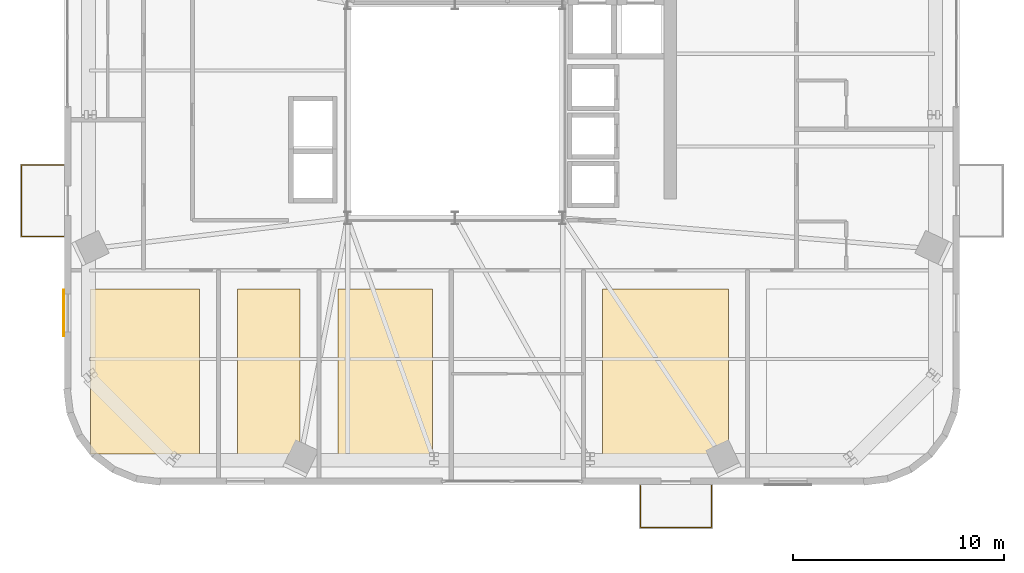
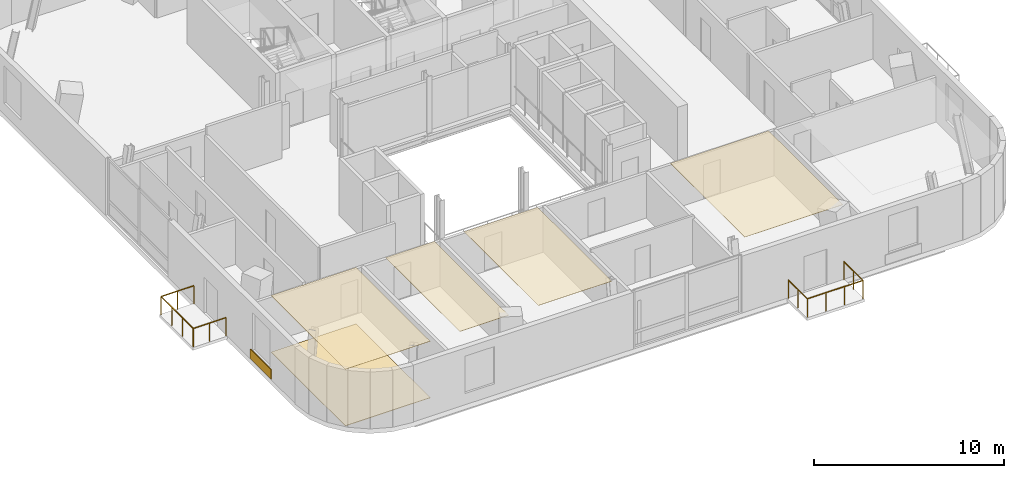
# One storey, part 10 of 14: 6 coverings, 2 railings.
"""IFC4 building model written with IfcOpenShell, lengths in metres."""

from ifc_helpers import new_model, si_unit, direction, frame, origin, origin_2d, place, context, subcontext, project, spatial, polyline, rectangle, outline, extrude, source, transform, mapped, material, layer, layer_set, type_object, element, save


model = new_model("IFC4")

# Units and contexts
model_context = context("Model", 3, precision=1e-05, world=origin(), true_north=direction((0.0, 1.0)))
body_context = subcontext(model_context, "Body", "Model", "MODEL_VIEW")
ifc_project = project(units=[si_unit("LENGTHUNIT", "METRE"), si_unit("AREAUNIT", "SQUARE_METRE"), si_unit("VOLUMEUNIT", "CUBIC_METRE"), si_unit("PLANEANGLEUNIT", "RADIAN"), si_unit("MASSUNIT", "GRAM", prefix="KILO")], contexts=[model_context])

# Site, building, storey
site_placement = place(None, origin())
site = spatial("IfcSite", under=ifc_project, at=site_placement, CompositionType="ELEMENT")
building_placement = place(site_placement, origin())
building = spatial("IfcBuilding", under=site, at=building_placement, Name="Vardaveli Station Tower", CompositionType="ELEMENT")
storey_placement = place(building_placement, frame((0.0, 0.0, 270.35009765625)))
storey = spatial("IfcBuildingStorey", under=building, at=storey_placement, Name="L69", CompositionType="ELEMENT", Elevation=270.35009765625)

# Coverings
ifc_material_1 = material(Name="Perforated acoustic mineral ceiling")
ifc_layer_1 = layer(ifc_material_1, 0.02001953125, Name="Perforated acoustic mineral ceiling")
ifc_layer_set_1 = layer_set([ifc_layer_1], Name="Perforated acoustic mineral ceiling")
covering_type_1 = type_object("IfcCoveringType", Name="COV-CEIL-AC20", PredefinedType="CEILING", material=ifc_layer_set_1)
covering_1_placement = place(storey_placement, frame((0.0, 0.0, 3.635009765625)))
element("IfcCovering", 1, at=covering_1_placement, inside=storey, type_object=covering_type_1, Name="CEIL-L69-1", PredefinedType="CEILING", context=body_context, shape_type="SweptSolid", body=[
    extrude(outline(polyline([(19.010009765625, 5.409912109375), (24.17333984375, 5.409912109375), (24.17333984375, 13.22998046875), (19.010009765625, 13.22998046875), (19.010009765625, 5.409912109375)])), origin(), (0.0, 0.0, 1.0), 0.019775390625),
])
covering_2_placement = place(storey_placement, frame((0.0, 0.0, 3.635009765625)))
element("IfcCovering", 2, at=covering_2_placement, inside=storey, type_object=covering_type_1, Name="CEIL-L69-2", PredefinedType="CEILING", context=body_context, shape_type="SweptSolid", body=[
    extrude(outline(polyline([(25.973388671875, 5.409912109375), (28.947509765625, 5.409912109375), (28.947509765625, 13.22998046875), (25.973388671875, 13.22998046875), (25.973388671875, 5.409912109375)])), origin(), (0.0, 0.0, 1.0), 0.019775390625),
])
covering_3_placement = place(storey_placement, frame((0.0, 0.0, 3.635009765625)))
element("IfcCovering", 3, at=covering_3_placement, inside=storey, type_object=covering_type_1, Name="CEIL-L69-3", PredefinedType="CEILING", context=body_context, shape_type="SweptSolid", body=[
    extrude(outline(polyline([(30.74755859375, 5.409912109375), (35.2216796875, 5.409912109375), (35.2216796875, 13.22998046875), (30.74755859375, 13.22998046875), (30.74755859375, 5.409912109375)])), origin(), (0.0, 0.0, 1.0), 0.019775390625),
])
covering_4_placement = place(storey_placement, frame((0.0, 0.0, 3.635009765625)))
element("IfcCovering", 4, at=covering_4_placement, inside=storey, type_object=covering_type_1, Name="CEIL-L69-4", PredefinedType="CEILING", context=body_context, shape_type="SweptSolid", body=[
    extrude(outline(polyline([(43.2958984375, 5.409912109375), (49.27001953125, 5.409912109375), (49.27001953125, 13.22998046875), (43.2958984375, 13.22998046875), (43.2958984375, 5.409912109375)])), origin(), (0.0, 0.0, 1.0), 0.019775390625),
])
ifc_material_2 = material(Name="Honed Caucasian basalt and travertine flooring", Category="masonry")
ifc_layer_2 = layer(ifc_material_2, 0.030029296875, Name="Honed Caucasian basalt and travertine flooring")
ifc_layer_set_2 = layer_set([ifc_layer_2], Name="Honed Caucasian basalt and travertine flooring")
covering_type_2 = type_object("IfcCoveringType", Name="COV-FLOOR-ST30", PredefinedType="FLOORING", material=ifc_layer_set_2)
covering_5_placement = place(storey_placement, origin())
element("IfcCovering", 5, at=covering_5_placement, inside=storey, type_object=covering_type_2, Name="FLR-L69-1", PredefinedType="FLOORING", context=body_context, shape_type="SweptSolid", body=[
    extrude(outline(polyline([(19.010009765625, 5.409912109375), (24.17333984375, 5.409912109375), (24.17333984375, 13.22998046875), (19.010009765625, 13.22998046875), (19.010009765625, 5.409912109375)])), origin(), (0.0, 0.0, 1.0), 0.02978515625),
])
ifc_material_3 = material(Name="Ventilated honed travertine stone cladding", Category="masonry")
ifc_layer_3 = layer(ifc_material_3, 0.044921875, Name="Ventilated honed travertine stone cladding")
ifc_layer_set_3 = layer_set([ifc_layer_3], Name="Ventilated honed travertine stone cladding")
covering_type_3 = type_object("IfcCoveringType", Name="COV-CLAD-TR45", PredefinedType="CLADDING", material=ifc_layer_set_3)
shared_shape_1 = source(origin(), body_context, "Body", "SweptSolid", [
    extrude(rectangle(XDim=2.199951171875, YDim=0.044921875, at=origin_2d()), origin(), (0.0, 0.0, 1.0), 0.6201171875),
])
covering_6_placement = place(storey_placement, frame((17.74560546875, 12.10107421875, 0.06982421875), z_axis=(0.0, 0.0, 1.0), x_axis=(0.0, 1.0, 0.0)))
element("IfcCovering", 6, at=covering_6_placement, inside=storey, type_object=covering_type_3, Name="CLD-TR-L69-W", PredefinedType="CLADDING", context=body_context, shape_type="MappedRepresentation", body=[
    mapped(shared_shape_1, transform((0.0, 0.0, 0.0), scale=1.0)),
])

# Railings
ifc_material_4 = material(Name="Laminated glass and stainless steel balustrade", Category="steel")
railing_type = type_object("IfcRailingType", Name="RL-BAL-1200", PredefinedType="BALUSTRADE", material=ifc_material_4)
shared_shape_2 = source(origin(), body_context, "Body", "SweptSolid", [
    extrude(rectangle(XDim=0.048095703125, YDim=0.048095703125, at=origin_2d()), frame((0.0, 0.0, 1.17578125), z_axis=(-1.0, 0.0, 0.0), x_axis=(0.0, -1.0, 0.0)), (0.0, 0.0, 1.0), 2.0),
    extrude(rectangle(XDim=0.048095703125, YDim=0.048095703125, at=origin_2d()), frame((-2.0, 0.0, 1.17578125), z_axis=(0.0, 1.0, 0.0), x_axis=(-1.0, 0.0, 0.0)), (0.0, 0.0, 1.0), 3.3798828125),
    extrude(rectangle(XDim=0.048095703125, YDim=0.048095703125, at=origin_2d()), frame((-2.0, 3.3798828125, 1.17578125), z_axis=(1.0, 0.0, 0.0), x_axis=(0.0, 1.0, 0.0)), (0.0, 0.0, 1.0), 2.0),
    extrude(rectangle(XDim=0.0419921875, YDim=0.0419921875, at=origin_2d()), origin(), (0.0, 0.0, 1.0), 1.15185546875),
    extrude(rectangle(XDim=0.0419921875, YDim=0.0419921875, at=origin_2d()), frame((-1.0, 0.0, 0.0)), (0.0, 0.0, 1.0), 1.15185546875),
    extrude(rectangle(XDim=0.0419921875, YDim=0.0419921875, at=origin_2d()), frame((-2.0, 0.0, 0.0)), (0.0, 0.0, 1.0), 1.15185546875),
    extrude(rectangle(XDim=0.0419921875, YDim=0.0419921875, at=origin_2d()), frame((-2.0, 1.126708984375, 0.0)), (0.0, 0.0, 1.0), 1.15185546875),
    extrude(rectangle(XDim=0.0419921875, YDim=0.0419921875, at=origin_2d()), frame((-2.0, 2.253173828125, 0.0)), (0.0, 0.0, 1.0), 1.15185546875),
    extrude(rectangle(XDim=0.0419921875, YDim=0.0419921875, at=origin_2d()), frame((-2.0, 3.3798828125, 0.0)), (0.0, 0.0, 1.0), 1.15185546875),
    extrude(rectangle(XDim=0.0419921875, YDim=0.0419921875, at=origin_2d()), frame((-1.0, 3.3798828125, 0.0)), (0.0, 0.0, 1.0), 1.15185546875),
    extrude(rectangle(XDim=0.0419921875, YDim=0.0419921875, at=origin_2d()), frame((0.0, 3.3798828125, 0.0)), (0.0, 0.0, 1.0), 1.15185546875),
])
railing_1_placement = place(storey_placement, frame((17.719970703125, 15.734619140625, 0.0)))
element("IfcRailing", 7, at=railing_1_placement, inside=storey, type_object=railing_type, Name="RL-LOG-L69-03", PredefinedType="BALUSTRADE", context=body_context, shape_type="MappedRepresentation", body=[
    mapped(shared_shape_2, transform((0.0, 0.0, 0.0), scale=1.0)),
])
shared_shape_3 = source(origin(), body_context, "Body", "SweptSolid", [
    extrude(rectangle(XDim=0.048095703125, YDim=0.048095703125, at=origin_2d()), frame((0.0, 0.0, 1.17578125), z_axis=(0.0, -1.0, 0.0), x_axis=(1.0, 0.0, 0.0)), (0.0, 0.0, 1.0), 2.0),
    extrude(rectangle(XDim=0.048095703125, YDim=0.048095703125, at=origin_2d()), frame((0.0, -2.0, 1.17578125), z_axis=(1.0, 0.0, 0.0), x_axis=(0.0, 1.0, 0.0)), (0.0, 0.0, 1.0), 3.380126953125),
    extrude(rectangle(XDim=0.048095703125, YDim=0.048095703125, at=origin_2d()), frame((3.380126953125, -2.0, 1.17578125), z_axis=(0.0, 1.0, 0.0), x_axis=(-1.0, 0.0, 0.0)), (0.0, 0.0, 1.0), 2.0),
    extrude(rectangle(XDim=0.0419921875, YDim=0.0419921875, at=origin_2d()), origin(), (0.0, 0.0, 1.0), 1.15185546875),
    extrude(rectangle(XDim=0.0419921875, YDim=0.0419921875, at=origin_2d()), frame((0.0, -1.0, 0.0)), (0.0, 0.0, 1.0), 1.15185546875),
    extrude(rectangle(XDim=0.0419921875, YDim=0.0419921875, at=origin_2d()), frame((0.0, -2.0, 0.0)), (0.0, 0.0, 1.0), 1.15185546875),
    extrude(rectangle(XDim=0.0419921875, YDim=0.0419921875, at=origin_2d()), frame((1.126708984375, -2.0, 0.0)), (0.0, 0.0, 1.0), 1.15185546875),
    extrude(rectangle(XDim=0.0419921875, YDim=0.0419921875, at=origin_2d()), frame((2.25341796875, -2.0, 0.0)), (0.0, 0.0, 1.0), 1.15185546875),
    extrude(rectangle(XDim=0.0419921875, YDim=0.0419921875, at=origin_2d()), frame((3.380126953125, -2.0, 0.0)), (0.0, 0.0, 1.0), 1.15185546875),
    extrude(rectangle(XDim=0.0419921875, YDim=0.0419921875, at=origin_2d()), frame((3.380126953125, -1.0, 0.0)), (0.0, 0.0, 1.0), 1.15185546875),
    extrude(rectangle(XDim=0.0419921875, YDim=0.0419921875, at=origin_2d()), frame((3.380126953125, 0.0, 0.0)), (0.0, 0.0, 1.0), 1.15185546875),
])
railing_2_placement = place(storey_placement, frame((45.08544921875, 3.919921875, 0.0)))
element("IfcRailing", 8, at=railing_2_placement, inside=storey, type_object=railing_type, Name="RL-LOG-L69-01", PredefinedType="BALUSTRADE", context=body_context, shape_type="MappedRepresentation", body=[
    mapped(shared_shape_3, transform((0.0, 0.0, 0.0), scale=1.0)),
])

save(model, "model.ifc")
